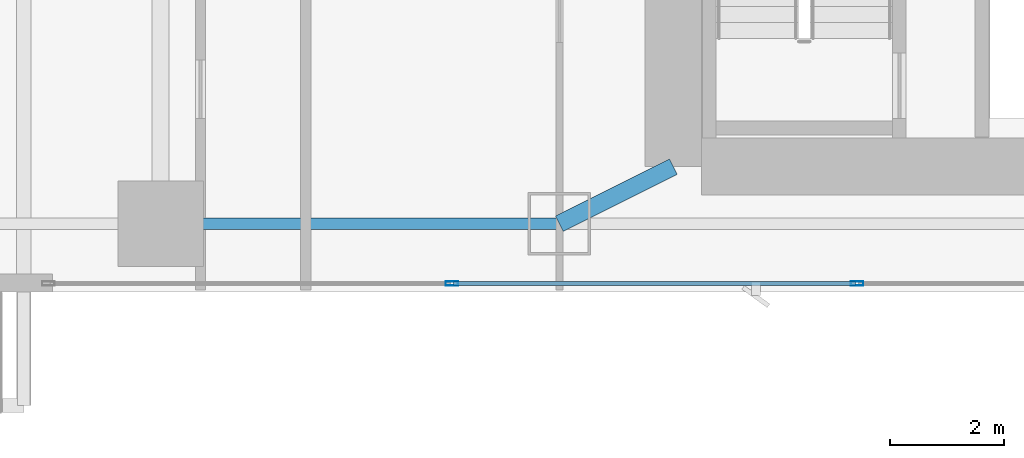
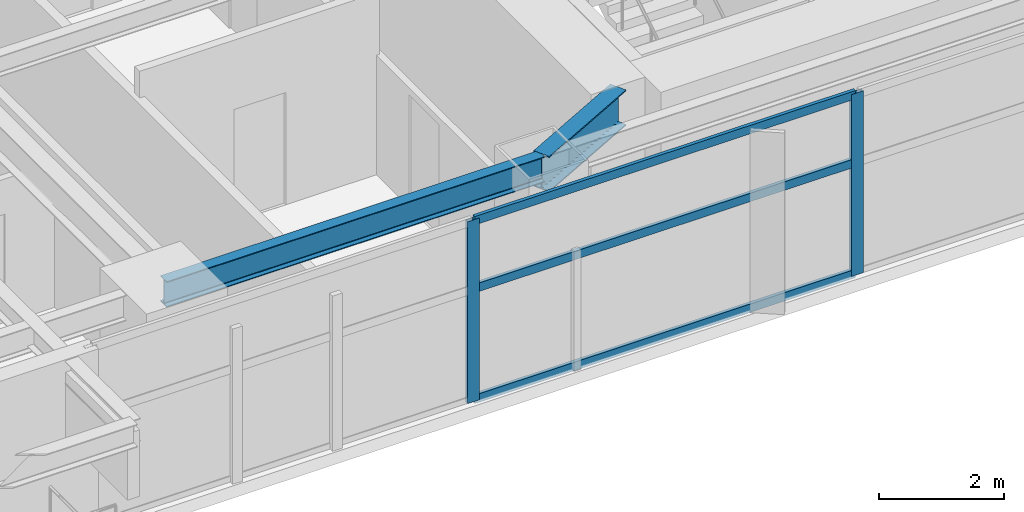
# One storey, part 6 of 30: 5 members, 2 beams, 1 element without a shape of its own.
"""IFC4 building model written with IfcOpenShell, lengths in metres."""

import ifcopenshell
import ifcopenshell.guid

model = None  # the IFC model being written
_history = None  # IfcOwnerHistory: only IFC2X3 demands one
_inside = {}  # id of a spatial element -> (the spatial element, [elements in it])
_under = {}  # id of a project, library or spatial element -> (it, [spatial elements below it])
_declared = {}  # id of a project -> (the project, [libraries it declares])
_typed = {}  # id of a type object -> (the type object, [elements of that type])
_made_of = {}  # id of a material, layer set ... -> (it, [elements and type objects made of it])


def new_model(schema):
    """Start an empty IFC model of exactly this schema.

    Asked for "IFC4X3", IfcOpenShell would pick the latest addendum, in which some entities
    have other attributes; the version numbers below select the first issue.
    IFC2X3 requires an IfcOwnerHistory on every rooted entity: one is made here for all.
    """
    global model, _history
    if schema == "IFC4X3":
        model = ifcopenshell.file(schema_version=(4, 3, 0, 0))
    else:
        model = ifcopenshell.file(schema=schema)
    _inside.clear()
    _under.clear()
    _declared.clear()
    _typed.clear()
    _made_of.clear()
    _history = None
    if model.schema == "IFC2X3":
        org = make("IfcOrganization", Name="unknown")
        user = make(
            "IfcPersonAndOrganization",
            ThePerson=make("IfcPerson", FamilyName="unknown"),
            TheOrganization=org,
        )
        app = make(
            "IfcApplication",
            ApplicationDeveloper=org,
            Version="unknown",
            ApplicationFullName="unknown",
            ApplicationIdentifier="unknown",
        )
        _history = make(
            "IfcOwnerHistory",
            OwningUser=user,
            OwningApplication=app,
            ChangeAction="ADDED",
            CreationDate=0,
        )
    return model


def make(cls, **values):
    """One entity of the class cls with the attributes given. An attribute that is None is left unset."""
    return model.create_entity(
        cls, **{name: value for name, value in values.items() if value is not None}
    )


def rooted(cls, **values):
    """An entity with a GlobalId (a new one), such as an element, a storey or a relation."""
    return make(cls, GlobalId=ifcopenshell.guid.new(), OwnerHistory=_history, **values)


def si_unit(unit_type, name, prefix=None):
    """IfcSIUnit, for example si_unit("LENGTHUNIT", "METRE", prefix="MILLI")."""
    return make("IfcSIUnit", UnitType=unit_type, Prefix=prefix, Name=name)


def assignment(units):
    """IfcUnitAssignment: the units of a project."""
    return None if units is None else make("IfcUnitAssignment", Units=units)


def point(xyz):
    """IfcCartesianPoint."""
    return None if xyz is None else make("IfcCartesianPoint", Coordinates=xyz)


def direction(xyz):
    """IfcDirection."""
    return None if xyz is None else make("IfcDirection", DirectionRatios=xyz)


def frame(location, z_axis=None, x_axis=None):
    """IfcAxis2Placement3D, a coordinate frame: its origin and axes. An axis left out is left unset."""
    return make(
        "IfcAxis2Placement3D",
        Location=point(location),
        Axis=direction(z_axis),
        RefDirection=direction(x_axis),
    )


def frame_2d(location, x_axis=None):
    """IfcAxis2Placement2D, a coordinate frame in the plane: its origin and x axis."""
    return make(
        "IfcAxis2Placement2D", Location=point(location), RefDirection=direction(x_axis)
    )


def origin():
    """The frame at (0, 0, 0) with its axes left unset."""
    return frame((0.0, 0.0, 0.0))


def origin_2d():
    """The frame at (0, 0) in the plane with its x axis left unset."""
    return frame_2d((0.0, 0.0))


def place(relative_to, where):
    """IfcLocalPlacement: puts the frame where relative to a parent placement (None: the world)."""
    return make(
        "IfcLocalPlacement", PlacementRelTo=relative_to, RelativePlacement=where
    )


def context(
    kind, dimensions, precision=None, world=None, true_north=None, identifier=None
):
    """IfcGeometricRepresentationContext, for example the 3D "Model" context."""
    return make(
        "IfcGeometricRepresentationContext",
        ContextIdentifier=identifier,
        ContextType=kind,
        CoordinateSpaceDimension=dimensions,
        Precision=precision,
        WorldCoordinateSystem=world,
        TrueNorth=true_north,
    )


def subcontext(parent, identifier, kind, view, scale=None):
    """IfcGeometricRepresentationSubContext, for example "Body" below "Model"."""
    return make(
        "IfcGeometricRepresentationSubContext",
        ContextIdentifier=identifier,
        ContextType=kind,
        ParentContext=parent,
        TargetScale=scale,
        TargetView=view,
    )


def project(units=None, contexts=None):
    """IfcProject with its units and contexts."""
    return rooted(
        "IfcProject",
        Name="project",
        RepresentationContexts=contexts,
        UnitsInContext=assignment(units),
    )


def spatial(cls, under=None, at=None, **own):
    """A site, building, storey or space (cls), placed at a placement, below another one or the project."""
    s = rooted(cls, ObjectPlacement=at, **own)
    if under is not None:
        _under.setdefault(under.id(), (under, []))[1].append(s)
    return s


def profile(cls, at=None, kind="AREA", **sizes):
    """A parametric profile (cls). Its sizes go by their IFC names, for example OverallWidth=200.0."""
    return make(cls, ProfileType=kind, Position=at, **sizes)


def hollow_rectangle(**sizes):
    """IfcRectangleHollowProfileDef."""
    return profile("IfcRectangleHollowProfileDef", **sizes)


def i_section(**sizes):
    """IfcIShapeProfileDef."""
    return profile("IfcIShapeProfileDef", **sizes)


def extrude(swept, where, along, depth):
    """IfcExtrudedAreaSolid: the profile swept, set in the frame where, extruded along a direction by depth."""
    return make(
        "IfcExtrudedAreaSolid",
        SweptArea=swept,
        Position=where,
        ExtrudedDirection=direction(along),
        Depth=depth,
    )


def shape(context_of_items, identifier, shape_type, items):
    """IfcShapeRepresentation: the items that make up one representation, for example the "Body"."""
    return make(
        "IfcShapeRepresentation",
        ContextOfItems=context_of_items,
        RepresentationIdentifier=identifier,
        RepresentationType=shape_type,
        Items=items,
    )


def material(Name=None, Category=None):
    """IfcMaterial."""
    return make("IfcMaterial", Name=Name, Category=Category)


def layer(
    of_material, thickness, ventilated=None, Name=None, Category=None, Priority=None
):
    """IfcMaterialLayer: one layer of a wall or slab, of a material (None: an air gap)."""
    return make(
        "IfcMaterialLayer",
        Material=of_material,
        LayerThickness=thickness,
        IsVentilated=ventilated,
        Name=Name,
        Category=Category,
        Priority=Priority,
    )


def layer_set(layers, Name=None):
    """IfcMaterialLayerSet."""
    return make("IfcMaterialLayerSet", MaterialLayers=layers, LayerSetName=Name)


def material_profile(
    of_material, cross_section, Name=None, Category=None, Priority=None
):
    """IfcMaterialProfile: a cross section and its material."""
    return make(
        "IfcMaterialProfile",
        Name=Name,
        Material=of_material,
        Profile=cross_section,
        Priority=Priority,
        Category=Category,
    )


def profile_set(profiles, Name=None, composite=None):
    """IfcMaterialProfileSet."""
    return make(
        "IfcMaterialProfileSet",
        Name=Name,
        MaterialProfiles=profiles,
        CompositeProfile=composite,
    )


def made_of(thing, what):
    """Note that an element or type object is made of a material, layer set ...; save() writes the relation."""
    if what is not None:
        _made_of.setdefault(what.id(), (what, []))[1].append(thing)
    return thing


def type_object(cls, material=None, **own):
    """A type object (cls), such as IfcWallType, which elements share."""
    return made_of(rooted(cls, **own), material)


def element(
    cls,
    number,
    at=None,
    inside=None,
    cuts=None,
    type_object=None,
    material=None,
    context=None,
    identifier="Body",
    shape_type=None,
    held_by="IfcProductDefinitionShape",
    body=None,
    shapes=None,
    **own,
):
    """One element of the class cls, such as IfcWall. Its Tag is "e" and its number.

    at: its placement. inside: the storey or other place that contains it. cuts: it is an
    opening in that element (IfcRelVoidsElement). A single representation is given by context,
    identifier, shape_type and body (its items); several are given by shapes. held_by: the class
    of the entity that holds the representations. save() writes the other relations.
    """
    e = rooted(cls, Tag="e%d" % number, ObjectPlacement=at, **own)
    if body is not None:
        shapes = [shape(context, identifier, shape_type, body)]
    if shapes is not None:
        e.Representation = make(held_by, Representations=shapes)
    if inside is not None:
        _inside.setdefault(inside.id(), (inside, []))[1].append(e)
    if cuts is not None:
        rooted(
            "IfcRelVoidsElement", RelatingBuildingElement=cuts, RelatedOpeningElement=e
        )
    if type_object is not None:
        _typed.setdefault(type_object.id(), (type_object, []))[1].append(e)
    return made_of(e, material)


def aggregate(whole, parts):
    """IfcRelAggregates: a whole, such as a stair, and the parts it consists of."""
    return rooted("IfcRelAggregates", RelatingObject=whole, RelatedObjects=parts)


def save(model, path):
    """Write the relations noted so far, then the file.

    IfcRelAggregates (storeys below a building ...), IfcRelContainedInSpatialStructure (elements
    in a storey), IfcRelDefinesByType, IfcRelAssociatesMaterial and IfcRelDeclares: one each for
    every whole, place, type object, material and project.
    """
    for whole, parts in _under.values():
        aggregate(whole, parts)
    for where, things in _inside.values():
        rooted(
            "IfcRelContainedInSpatialStructure",
            RelatedElements=things,
            RelatingStructure=where,
        )
    for kind, things in _typed.values():
        rooted("IfcRelDefinesByType", RelatedObjects=things, RelatingType=kind)
    for what, things in _made_of.values():
        rooted("IfcRelAssociatesMaterial", RelatedObjects=things, RelatingMaterial=what)
    for by, libraries in _declared.values():
        rooted("IfcRelDeclares", RelatingContext=by, RelatedDefinitions=libraries)
    model.write(path)


model = new_model("IFC4")

# Units and contexts
model_context = context("Model", 3, precision=1e-05, world=origin(), true_north=direction((0.0, 1.0)))
body_context = subcontext(model_context, "Body", "Model", "MODEL_VIEW")
ifc_project = project(units=[si_unit("LENGTHUNIT", "METRE"), si_unit("AREAUNIT", "SQUARE_METRE"), si_unit("VOLUMEUNIT", "CUBIC_METRE"), si_unit("PLANEANGLEUNIT", "RADIAN"), si_unit("MASSUNIT", "GRAM", prefix="KILO")], contexts=[model_context])

# Site, building, storey
site_placement = place(None, origin())
site = spatial("IfcSite", under=ifc_project, at=site_placement, CompositionType="ELEMENT")
building_placement = place(site_placement, origin())
building = spatial("IfcBuilding", under=site, at=building_placement, Name="Calvorn Quay Hotel", CompositionType="ELEMENT")
storey_placement = place(building_placement, frame((0.0, 0.0, 77.39990234375)))
storey = spatial("IfcBuildingStorey", under=building, at=storey_placement, Name="L18", CompositionType="ELEMENT", Elevation=77.39990234375)

# Beams
ifc_material_1 = material(Name="Steel Q390GJC", Category="steel")
ifc_material_profile_1 = material_profile(ifc_material_1, i_section(OverallWidth=0.300048828125, OverallDepth=0.699951171875, WebThickness=0.012939453125, FlangeThickness=0.02392578125, FilletRadius=0.02392578125, at=origin_2d()), Name="HN700x300x13x24")
ifc_profile_set_1 = profile_set([ifc_material_profile_1], Name="Steel Q390GJC")
beam_type_1 = type_object("IfcBeamType", Name="BM-GIRD-MAIN", PredefinedType="BEAM", material=ifc_profile_set_1)
beam_1_placement = place(storey_placement, frame((19.60009765625, 3.60009765625, 3.190185546875), z_axis=(0.894427191, 0.4472135955, 0.0), x_axis=(-0.4472135955, 0.894427191, 0.0)))
element("IfcBeam", 1, at=beam_1_placement, inside=storey, type_object=beam_type_1, Name="Beam BG-L18-S2", PredefinedType="BEAM", context=body_context, shape_type="SweptSolid", body=[
    extrude(i_section(OverallWidth=0.300048828125, OverallDepth=0.699951171875, WebThickness=0.012939453125, FlangeThickness=0.02392578125, FilletRadius=0.02392578125, at=origin_2d()), origin(), (0.0, 0.0, 1.0), 2.236083984375),
])
ifc_material_2 = material(Name="Steel Q355B", Category="steel")
ifc_material_profile_2 = material_profile(ifc_material_2, i_section(OverallWidth=0.199951171875, OverallDepth=0.5, WebThickness=0.010009765625, FlangeThickness=0.01611328125, FilletRadius=0.01611328125, at=origin_2d()), Name="HN500x200x10x16")
ifc_profile_set_2 = profile_set([ifc_material_profile_2], Name="Steel Q355B")
beam_type_2 = type_object("IfcBeamType", Name="BM-SPANDREL-Z1", PredefinedType="SPANDREL", material=ifc_profile_set_2)
beam_2_placement = place(storey_placement, frame((12.60009765625, 3.60009765625, 3.2900390625), z_axis=(1.0, 0.0, 0.0), x_axis=(0.0, 1.0, 0.0)))
element("IfcBeam", 2, at=beam_2_placement, inside=storey, type_object=beam_type_2, Name="Beam BSP-L18-S2", PredefinedType="SPANDREL", context=body_context, shape_type="SweptSolid", body=[
    extrude(i_section(OverallWidth=0.199951171875, OverallDepth=0.5, WebThickness=0.010009765625, FlangeThickness=0.01611328125, FilletRadius=0.01611328125, at=origin_2d()), origin(), (0.0, 0.0, 1.0), 7.0),
])

# Curtain wall, members
ifc_material_3 = material(Name="Pale Anodised Aluminium and Low-E Glass", Category="aluminium")
ifc_layer = layer(ifc_material_3, 0.219970703125)
ifc_layer_set = layer_set([ifc_layer], Name="CW-SYS-Z1")
curtain_wall_type = type_object("IfcCurtainWallType", Name="CW-SYS-Z1", PredefinedType="NOTDEFINED", material=ifc_layer_set)
curtain_wall_placement = place(storey_placement, origin())
curtain_wall = element("IfcCurtainWall", 3, at=curtain_wall_placement, inside=storey, type_object=curtain_wall_type, Name="Tower South Waterfront Curtain Wall (L18)", PredefinedType="NOTDEFINED")
ifc_material_4 = material(Name="Pale Anodised Aluminium 6063-T6", Category="aluminium")
ifc_material_profile_3 = material_profile(ifc_material_4, hollow_rectangle(XDim=0.074951171875, YDim=0.219970703125, WallThickness=0.00439453125, at=origin_2d()), Name="ALU-M220x75x4.5")
ifc_profile_set_3 = profile_set([ifc_material_profile_3], Name="Pale Anodised Aluminium 6063-T6")
member_type_1 = type_object("IfcMemberType", Name="CW-SYS-Z1-MUL", PredefinedType="MULLION", material=ifc_profile_set_3)
member_1_placement = place(storey_placement, frame((17.71435546875, 2.550048828125, 0.0), z_axis=(0.0, 0.0, 1.0), x_axis=(0.0, 1.0, 0.0)))
member_1 = element("IfcMember", 4, at=member_1_placement, type_object=member_type_1, Name="CW-L18-S mullion 2", PredefinedType="MULLION", context=body_context, shape_type="SweptSolid", body=[
    extrude(hollow_rectangle(XDim=0.074951171875, YDim=0.219970703125, WallThickness=0.00439453125, at=origin_2d()), origin(), (0.0, 0.0, 1.0), 3.56005859375),
])
member_2_placement = place(storey_placement, frame((24.82861328125, 2.550048828125, 0.0), z_axis=(0.0, 0.0, 1.0), x_axis=(0.0, 1.0, 0.0)))
member_2 = element("IfcMember", 5, at=member_2_placement, type_object=member_type_1, Name="CW-L18-S mullion 3", PredefinedType="MULLION", context=body_context, shape_type="SweptSolid", body=[
    extrude(hollow_rectangle(XDim=0.074951171875, YDim=0.219970703125, WallThickness=0.00439453125, at=origin_2d()), origin(), (0.0, 0.0, 1.0), 3.56005859375),
])
ifc_material_5 = material(Name="Pale Anodised Aluminium 6063-T6", Category="aluminium")
ifc_material_profile_4 = material_profile(ifc_material_5, hollow_rectangle(XDim=0.06494140625, YDim=0.1650390625, WallThickness=0.00341796875, at=origin_2d()), Name="ALU-T165x65x3.5")
ifc_profile_set_4 = profile_set([ifc_material_profile_4], Name="Pale Anodised Aluminium 6063-T6")
member_type_2 = type_object("IfcMemberType", Name="CW-SYS-Z1-TRN", PredefinedType="USERDEFINED", material=ifc_profile_set_4)
member_3_placement = place(storey_placement, frame((17.744384765625, 2.550048828125, 0.030029296875), z_axis=(1.0, 0.0, 0.0), x_axis=(0.0, 1.0, 0.0)))
member_3 = element("IfcMember", 6, at=member_3_placement, type_object=member_type_2, Name="CW-L18-S transom 2.1", ObjectType="TRANSOM", PredefinedType="USERDEFINED", context=body_context, shape_type="SweptSolid", body=[
    extrude(hollow_rectangle(XDim=0.06494140625, YDim=0.1650390625, WallThickness=0.00341796875, at=origin_2d()), origin(), (0.0, 0.0, 1.0), 7.05419921875),
])
member_4_placement = place(storey_placement, frame((17.744384765625, 2.550048828125, 2.2001953125), z_axis=(1.0, 0.0, 0.0), x_axis=(0.0, 1.0, 0.0)))
member_4 = element("IfcMember", 7, at=member_4_placement, type_object=member_type_2, Name="CW-L18-S transom 2.2", ObjectType="TRANSOM", PredefinedType="USERDEFINED", context=body_context, shape_type="SweptSolid", body=[
    extrude(hollow_rectangle(XDim=0.06494140625, YDim=0.1650390625, WallThickness=0.00341796875, at=origin_2d()), origin(), (0.0, 0.0, 1.0), 7.05419921875),
])
member_5_placement = place(storey_placement, frame((17.744384765625, 2.550048828125, 3.530029296875), z_axis=(1.0, 0.0, 0.0), x_axis=(0.0, 1.0, 0.0)))
member_5 = element("IfcMember", 8, at=member_5_placement, type_object=member_type_2, Name="CW-L18-S transom 2.3", ObjectType="TRANSOM", PredefinedType="USERDEFINED", context=body_context, shape_type="SweptSolid", body=[
    extrude(hollow_rectangle(XDim=0.06494140625, YDim=0.1650390625, WallThickness=0.00341796875, at=origin_2d()), origin(), (0.0, 0.0, 1.0), 7.05419921875),
])
aggregate(curtain_wall, [member_1, member_2, member_3, member_4, member_5])

save(model, "model.ifc")
